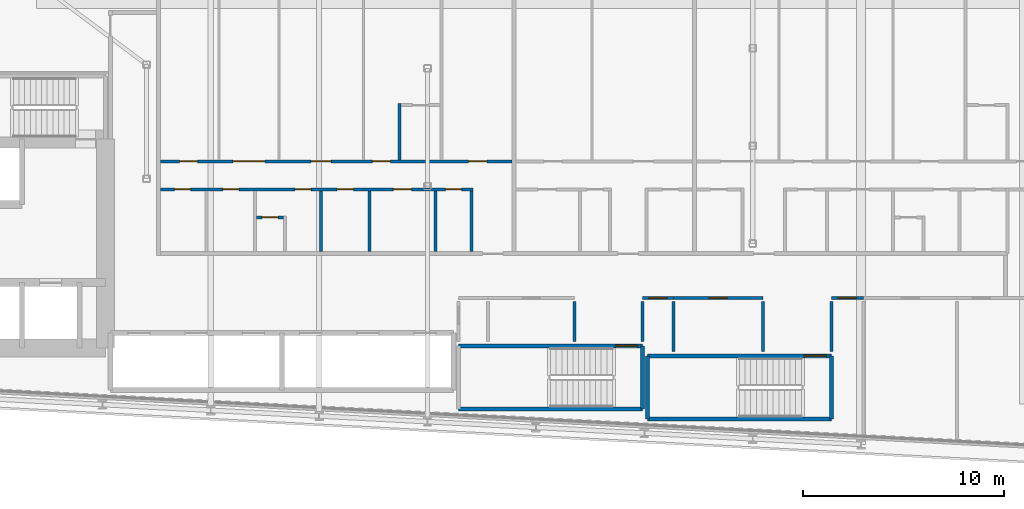
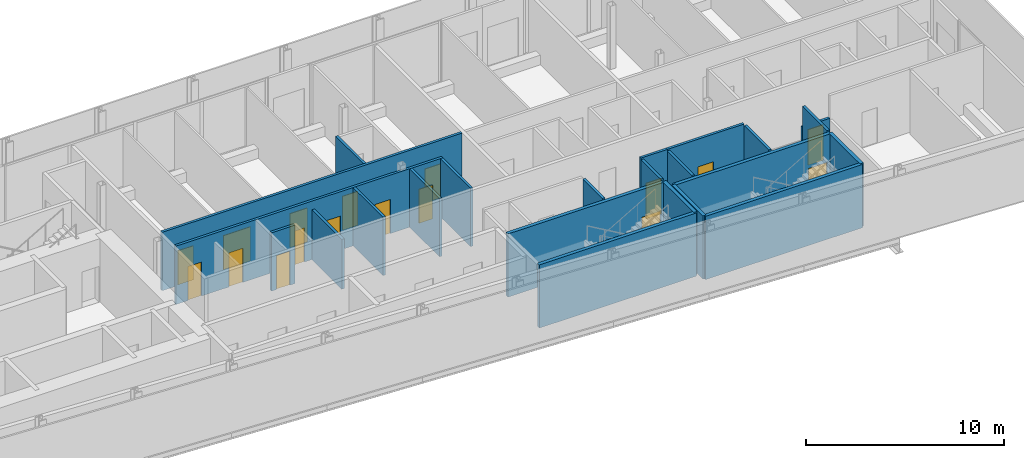
# One storey, part 15 of 28: 23 walls, 17 doors, 17 openings.
"""IFC4 building model written with IfcOpenShell, lengths in metres."""

from ifc_helpers import new_model, si_unit, direction, frame, frame_2d, origin, place, context, subcontext, project, spatial, rectangle, extrude, source, transform, mapped, material, layer, layer_set, type_object, element, fill, save


model = new_model("IFC4")

# Units and contexts
model_context = context("Model", 3, precision=1e-05, world=origin(), true_north=direction((0.0, 1.0)))
body_context = subcontext(model_context, "Body", "Model", "MODEL_VIEW")
ifc_project = project(units=[si_unit("LENGTHUNIT", "METRE"), si_unit("AREAUNIT", "SQUARE_METRE"), si_unit("VOLUMEUNIT", "CUBIC_METRE"), si_unit("PLANEANGLEUNIT", "RADIAN"), si_unit("MASSUNIT", "GRAM", prefix="KILO")], contexts=[model_context])

# Site, building, storey
site_placement = place(None, origin())
site = spatial("IfcSite", under=ifc_project, at=site_placement, CompositionType="ELEMENT")
building_placement = place(site_placement, origin())
building = spatial("IfcBuilding", under=site, at=building_placement, Name="Kheshtan School and Residences Tower", CompositionType="ELEMENT")
storey_placement = place(building_placement, frame((0.0, 0.0, 137.0)))
storey = spatial("IfcBuildingStorey", under=building, at=storey_placement, Name="L32", CompositionType="ELEMENT", Elevation=137.0)

# Wall
ifc_material_1 = material(Name="Fire-board shaft wall system")
ifc_layer_1 = layer(ifc_material_1, 0.14990234375)
ifc_layer_set_1 = layer_set([ifc_layer_1], Name="Service room wall 150")
wall_type_1 = type_object("IfcWallType", Name="Service room wall 150", PredefinedType="PARTITIONING", material=ifc_layer_set_1)
wall_1_placement = place(storey_placement, frame((76.510009765625, 26.1201171875, 0.0), z_axis=(0.0, 0.0, 1.0), x_axis=(0.0, 1.0, 0.0)))
element("IfcWall", 1, at=wall_1_placement, inside=storey, type_object=wall_type_1, Name="Service room wall", PredefinedType="PARTITIONING", context=body_context, shape_type="SweptSolid", body=[
    extrude(rectangle(XDim=1.98486328125, YDim=0.14990234375, at=frame_2d((0.992431640625, 0.0))), origin(), (0.0, 0.0, 1.0), 3.89990234375),
])

# Wall, opening, door
wall_2_placement = place(storey_placement, frame((79.909912109375, 28.300048828125, 0.0), z_axis=(0.0, 0.0, 1.0), x_axis=(1.0, 0.0, 0.0)))
wall_2 = element("IfcWall", 2, at=wall_2_placement, inside=storey, type_object=wall_type_1, Name="Service room wall", PredefinedType="PARTITIONING", context=body_context, shape_type="SweptSolid", body=[
    extrude(rectangle(XDim=1.531005859375, YDim=0.14990234375, at=frame_2d((0.765625, 0.0))), origin(), (0.0, 0.0, 1.0), 3.89990234375),
])
opening_1_placement = place(wall_2_placement, frame((0.31591796875, 0.0, 0.0)))
opening_1 = element("IfcOpeningElement", 3, at=opening_1_placement, cuts=wall_2, Name="Opening SR90", PredefinedType="OPENING", context=body_context, shape_type="SweptSolid", body=[
    extrude(rectangle(XDim=0.89990234375, YDim=2.199951171875, at=frame_2d((0.449951171875, 1.10009765625))), frame((0.0, 0.0849609375, 0.0), z_axis=(0.0, -1.0, 0.0), x_axis=(1.0, 0.0, 0.0)), (0.0, 0.0, 1.0), 0.169921875),
])
ifc_material_2 = material(Name="Steel door leaf, galvanised", Category="steel")
door_type_1 = type_object("IfcDoorType", Name="Service room door 900 steel 90 min", OperationType="SINGLE_SWING_LEFT", PredefinedType="DOOR", material=ifc_material_2)
shared_shape_1 = source(origin(), body_context, "Body", "SweptSolid", [
    extrude(rectangle(XDim=0.89990234375, YDim=2.199951171875, at=frame_2d((0.449951171875, 1.10009765625))), frame((0.0, 0.02490234375, 0.0), z_axis=(0.0, -1.0, 0.0), x_axis=(1.0, 0.0, 0.0)), (0.0, 0.0, 1.0), 0.050048828125),
])
door_1_placement = place(opening_1_placement, origin())
door_1 = element("IfcDoor", 4, at=door_1_placement, inside=storey, type_object=door_type_1, Name="Service room door", OperationType="SINGLE_SWING_RIGHT", OverallHeight=2.199951171875, OverallWidth=0.89990234375, PredefinedType="DOOR", context=body_context, shape_type="MappedRepresentation", body=[
    mapped(shared_shape_1, transform((0.0, 0.0, 0.0), x_axis=(1.0, 0.0, 0.0), y_axis=(0.0, 1.0, 0.0), z_axis=(0.0, 0.0, 1.0), scale=1.0)),
])
fill(opening_1, door_1)

# Walls
wall_3_placement = place(storey_placement, frame((79.909912109375, 26.1201171875, 0.0), z_axis=(0.0, 0.0, 1.0), x_axis=(0.0, 1.0, 0.0)))
element("IfcWall", 5, at=wall_3_placement, inside=storey, type_object=wall_type_1, Name="Service room wall", PredefinedType="PARTITIONING", context=body_context, shape_type="SweptSolid", body=[
    extrude(rectangle(XDim=1.98486328125, YDim=0.14990234375, at=frame_2d((0.992431640625, 0.0))), origin(), (0.0, 0.0, 1.0), 3.89990234375),
])
wall_4_placement = place(storey_placement, frame((81.44091796875, 25.6201171875, 0.0), z_axis=(0.0, 0.0, 1.0), x_axis=(0.0, 1.0, 0.0)))
element("IfcWall", 6, at=wall_4_placement, inside=storey, type_object=wall_type_1, Name="Service room wall", PredefinedType="PARTITIONING", context=body_context, shape_type="SweptSolid", body=[
    extrude(rectangle(XDim=2.48486328125, YDim=0.14990234375, at=frame_2d((1.242431640625, 0.0))), origin(), (0.0, 0.0, 1.0), 3.89990234375),
])

# Wall, opening, door
wall_5_placement = place(storey_placement, frame((81.44091796875, 28.300048828125, 0.0), z_axis=(0.0, 0.0, 1.0), x_axis=(1.0, 0.0, 0.0)))
wall_5 = element("IfcWall", 7, at=wall_5_placement, inside=storey, type_object=wall_type_1, Name="Service room wall", PredefinedType="PARTITIONING", context=body_context, shape_type="SweptSolid", body=[
    extrude(rectangle(XDim=4.47900390625, YDim=0.14990234375, at=frame_2d((2.239501953125, 0.0))), origin(), (0.0, 0.0, 1.0), 3.89990234375),
])
opening_2_placement = place(wall_5_placement, frame((1.7890625, 0.0, 0.0)))
opening_2 = element("IfcOpeningElement", 8, at=opening_2_placement, cuts=wall_5, Name="Opening SR90", PredefinedType="OPENING", context=body_context, shape_type="SweptSolid", body=[
    extrude(rectangle(XDim=0.89990234375, YDim=2.199951171875, at=frame_2d((0.449951171875, 1.10009765625))), frame((0.0, 0.0849609375, 0.0), z_axis=(0.0, -1.0, 0.0), x_axis=(1.0, 0.0, 0.0)), (0.0, 0.0, 1.0), 0.169921875),
])
door_2_placement = place(opening_2_placement, origin())
door_2 = element("IfcDoor", 9, at=door_2_placement, inside=storey, type_object=door_type_1, Name="Service room door", OperationType="SINGLE_SWING_LEFT", OverallHeight=2.199951171875, OverallWidth=0.89990234375, PredefinedType="DOOR", context=body_context, shape_type="MappedRepresentation", body=[
    mapped(shared_shape_1, transform((0.0, 0.0, 0.0), x_axis=(1.0, 0.0, 0.0), y_axis=(0.0, 1.0, 0.0), z_axis=(0.0, 0.0, 1.0), scale=1.0)),
])
fill(opening_2, door_2)

# Wall
wall_6_placement = place(storey_placement, frame((85.919921875, 25.6201171875, 0.0), z_axis=(0.0, 0.0, 1.0), x_axis=(0.0, 1.0, 0.0)))
element("IfcWall", 10, at=wall_6_placement, inside=storey, type_object=wall_type_1, Name="Service room wall", PredefinedType="PARTITIONING", context=body_context, shape_type="SweptSolid", body=[
    extrude(rectangle(XDim=2.48486328125, YDim=0.14990234375, at=frame_2d((1.242431640625, 0.0))), origin(), (0.0, 0.0, 1.0), 3.89990234375),
])

# Wall, opening, door
wall_7_placement = place(storey_placement, frame((89.320068359375, 28.300048828125, 0.0), z_axis=(0.0, 0.0, 1.0), x_axis=(1.0, 0.0, 0.0)))
wall_7 = element("IfcWall", 11, at=wall_7_placement, inside=storey, type_object=wall_type_1, Name="Service room wall", PredefinedType="PARTITIONING", context=body_context, shape_type="SweptSolid", body=[
    extrude(rectangle(XDim=1.594970703125, YDim=0.14990234375, at=frame_2d((0.79736328125, 0.0))), origin(), (0.0, 0.0, 1.0), 2.5),
])
opening_3_placement = place(wall_7_placement, frame((0.347900390625, 0.0, 0.0)))
opening_3 = element("IfcOpeningElement", 12, at=opening_3_placement, cuts=wall_7, Name="Opening SR90", PredefinedType="OPENING", context=body_context, shape_type="SweptSolid", body=[
    extrude(rectangle(XDim=0.89990234375, YDim=2.199951171875, at=frame_2d((0.449951171875, 1.10009765625))), frame((0.0, 0.0849609375, 0.0), z_axis=(0.0, -1.0, 0.0), x_axis=(1.0, 0.0, 0.0)), (0.0, 0.0, 1.0), 0.169921875),
])
door_3_placement = place(opening_3_placement, origin())
door_3 = element("IfcDoor", 13, at=door_3_placement, inside=storey, type_object=door_type_1, Name="Service room door", OperationType="SINGLE_SWING_RIGHT", OverallHeight=2.199951171875, OverallWidth=0.89990234375, PredefinedType="DOOR", context=body_context, shape_type="MappedRepresentation", body=[
    mapped(shared_shape_1, transform((0.0, 0.0, 0.0), x_axis=(1.0, 0.0, 0.0), y_axis=(0.0, 1.0, 0.0), z_axis=(0.0, 0.0, 1.0), scale=1.0)),
])
fill(opening_3, door_3)

# Walls
wall_8_placement = place(storey_placement, frame((89.320068359375, 25.6201171875, 0.0), z_axis=(0.0, 0.0, 1.0), x_axis=(0.0, 1.0, 0.0)))
element("IfcWall", 14, at=wall_8_placement, inside=storey, type_object=wall_type_1, Name="Service room wall", PredefinedType="PARTITIONING", context=body_context, shape_type="SweptSolid", body=[
    extrude(rectangle(XDim=2.48486328125, YDim=0.14990234375, at=frame_2d((1.242431640625, 0.0))), origin(), (0.0, 0.0, 1.0), 3.89990234375),
])
ifc_material_3 = material(Name="Concrete C40/50", Category="concrete")
ifc_layer_2 = layer(ifc_material_3, 0.199951171875)
ifc_layer_set_2 = layer_set([ifc_layer_2], Name="Stair enclosure wall 200 Concrete C40/50")
wall_type_2 = type_object("IfcWallType", Name="Stair enclosure wall 200 Concrete C40/50", PredefinedType="SHEAR", material=ifc_layer_set_2)
wall_9_placement = place(storey_placement, frame((80.159912109375, 22.25, 0.0), z_axis=(0.0, 0.0, 1.0), x_axis=(1.0, 0.0, 0.0)))
element("IfcWall", 15, at=wall_9_placement, inside=storey, type_object=wall_type_2, Name="Stair enclosure wall ST4", PredefinedType="SHEAR", context=body_context, shape_type="SweptSolid", body=[
    extrude(rectangle(XDim=9.16015625, YDim=0.199951171875, at=frame_2d((4.580078125, 0.0))), origin(), (0.0, 0.0, 1.0), 3.89990234375),
])

# Wall, opening, door
wall_10_placement = place(storey_placement, frame((80.159912109375, 25.39990234375, 0.0), z_axis=(0.0, 0.0, 1.0), x_axis=(1.0, 0.0, 0.0)))
wall_10 = element("IfcWall", 16, at=wall_10_placement, inside=storey, type_object=wall_type_2, Name="Stair enclosure wall ST4", PredefinedType="SHEAR", context=body_context, shape_type="SweptSolid", body=[
    extrude(rectangle(XDim=9.16015625, YDim=0.199951171875, at=frame_2d((4.580078125, 0.0))), origin(), (0.0, 0.0, 1.0), 3.89990234375),
])
opening_4_placement = place(wall_10_placement, frame((7.81005859375, 0.0, 0.0)))
opening_4 = element("IfcOpeningElement", 17, at=opening_4_placement, cuts=wall_10, Name="Opening ST4D", PredefinedType="OPENING", context=body_context, shape_type="SweptSolid", body=[
    extrude(rectangle(XDim=1.10009765625, YDim=2.199951171875, at=frame_2d((0.550048828125, 1.10009765625))), frame((0.0, 0.10986328125, 0.0), z_axis=(0.0, -1.0, 0.0), x_axis=(1.0, 0.0, 0.0)), (0.0, 0.0, 1.0), 0.219970703125),
])
door_type_2 = type_object("IfcDoorType", Name="Stair door 1100 steel 90 min", OperationType="SINGLE_SWING_LEFT", PredefinedType="DOOR", material=ifc_material_2)
shared_shape_2 = source(origin(), body_context, "Body", "SweptSolid", [
    extrude(rectangle(XDim=1.10009765625, YDim=2.199951171875, at=frame_2d((0.550048828125, 1.10009765625))), frame((0.0, 0.02490234375, 0.0), z_axis=(0.0, -1.0, 0.0), x_axis=(1.0, 0.0, 0.0)), (0.0, 0.0, 1.0), 0.050048828125),
])
door_4_placement = place(opening_4_placement, origin())
door_4 = element("IfcDoor", 18, at=door_4_placement, inside=storey, type_object=door_type_2, Name="Stair ST4 door", OperationType="SINGLE_SWING_LEFT", OverallHeight=2.199951171875, OverallWidth=1.10009765625, PredefinedType="DOOR", context=body_context, shape_type="MappedRepresentation", body=[
    mapped(shared_shape_2, transform((0.0, 0.0, 0.0), x_axis=(1.0, 0.0, 0.0), y_axis=(0.0, 1.0, 0.0), z_axis=(0.0, 0.0, 1.0), scale=1.0)),
])
fill(opening_4, door_4)

# Walls
for number, where, z_axis, x_axis, name in (
    (19, (80.159912109375, 22.25, 0.0), (0.0, 0.0, 1.0), (0.0, 1.0, 0.0), "Stair enclosure wall ST4"),
    (20, (89.320068359375, 22.25, 0.0), (0.0, 0.0, 1.0), (0.0, 1.0, 0.0), "Stair enclosure wall ST4"),
):
    element("IfcWall", number, at=place(storey_placement, frame(where, z_axis=z_axis, x_axis=x_axis)), inside=storey, type_object=wall_type_2, Name=name, PredefinedType="SHEAR", context=body_context, shape_type="SweptSolid", body=[
        extrude(rectangle(XDim=3.14990234375, YDim=0.199951171875, at=frame_2d((1.574951171875, 0.0))), origin(), (0.0, 0.0, 1.0), 3.89990234375),
    ])
wall_11_placement = place(storey_placement, frame((70.75, 22.75, 0.0), z_axis=(0.0, 0.0, 1.0), x_axis=(1.0, 0.0, 0.0)))
element("IfcWall", 21, at=wall_11_placement, inside=storey, type_object=wall_type_2, Name="Stair enclosure wall ST5", PredefinedType="SHEAR", context=body_context, shape_type="SweptSolid", body=[
    extrude(rectangle(XDim=9.159912109375, YDim=0.199951171875, at=frame_2d((4.580078125, 0.0))), origin(), (0.0, 0.0, 1.0), 3.89990234375),
])

# Wall, opening, door
wall_12_placement = place(storey_placement, frame((70.75, 25.89990234375, 0.0), z_axis=(0.0, 0.0, 1.0), x_axis=(1.0, 0.0, 0.0)))
wall_12 = element("IfcWall", 22, at=wall_12_placement, inside=storey, type_object=wall_type_2, Name="Stair enclosure wall ST5", PredefinedType="SHEAR", context=body_context, shape_type="SweptSolid", body=[
    extrude(rectangle(XDim=9.159912109375, YDim=0.199951171875, at=frame_2d((4.580078125, 0.0))), origin(), (0.0, 0.0, 1.0), 3.89990234375),
])
opening_5_placement = place(wall_12_placement, frame((7.81005859375, 0.0, 0.0)))
opening_5 = element("IfcOpeningElement", 23, at=opening_5_placement, cuts=wall_12, Name="Opening ST5D", PredefinedType="OPENING", context=body_context, shape_type="SweptSolid", body=[
    extrude(rectangle(XDim=1.10009765625, YDim=2.199951171875, at=frame_2d((0.550048828125, 1.10009765625))), frame((0.0, 0.10986328125, 0.0), z_axis=(0.0, -1.0, 0.0), x_axis=(1.0, 0.0, 0.0)), (0.0, 0.0, 1.0), 0.219970703125),
])
door_5_placement = place(opening_5_placement, origin())
door_5 = element("IfcDoor", 24, at=door_5_placement, inside=storey, type_object=door_type_2, Name="Stair ST5 door", OperationType="SINGLE_SWING_LEFT", OverallHeight=2.199951171875, OverallWidth=1.10009765625, PredefinedType="DOOR", context=body_context, shape_type="MappedRepresentation", body=[
    mapped(shared_shape_2, transform((0.0, 0.0, 0.0), x_axis=(1.0, 0.0, 0.0), y_axis=(0.0, 1.0, 0.0), z_axis=(0.0, 0.0, 1.0), scale=1.0)),
])
fill(opening_5, door_5)

# Wall
wall_13_placement = place(storey_placement, frame((79.909912109375, 22.75, 0.0), z_axis=(0.0, 0.0, 1.0), x_axis=(0.0, 1.0, 0.0)))
element("IfcWall", 25, at=wall_13_placement, inside=storey, type_object=wall_type_2, Name="Stair enclosure wall ST5", PredefinedType="SHEAR", context=body_context, shape_type="SweptSolid", body=[
    extrude(rectangle(XDim=3.14990234375, YDim=0.199951171875, at=frame_2d((1.574951171875, 0.0))), origin(), (0.0, 0.0, 1.0), 3.89990234375),
])

# Wall, openings, doors
ifc_material_4 = material(Name="Moisture-resistant gypsum board on steel studs", Category="steel")
ifc_layer_3 = layer(ifc_material_4, 0.14990234375)
ifc_layer_set_3 = layer_set([ifc_layer_3], Name="Wet-room partition 150")
wall_type_3 = type_object("IfcWallType", Name="Wet-room partition 150", PredefinedType="PARTITIONING", material=ifc_layer_set_3)
wall_14_placement = place(storey_placement, frame((55.89990234375, 33.699951171875, 0.0), z_axis=(0.0, 0.0, 1.0), x_axis=(1.0, 0.0, 0.0)))
wall_14 = element("IfcWall", 26, at=wall_14_placement, inside=storey, type_object=wall_type_3, Name="Partition L32-047", PredefinedType="PARTITIONING", context=body_context, shape_type="SweptSolid", body=[
    extrude(rectangle(XDim=15.5751953125, YDim=0.14990234375, at=frame_2d((7.78759765625, 0.0))), origin(), (0.0, 0.0, 1.0), 3.60009765625),
])
opening_6_placement = place(wall_14_placement, frame((3.10009765625, 0.0, 0.0)))
opening_6 = element("IfcOpeningElement", 27, at=opening_6_placement, cuts=wall_14, Name="Opening D32-001", PredefinedType="OPENING", context=body_context, shape_type="SweptSolid", body=[
    extrude(rectangle(XDim=0.800048828125, YDim=2.10009765625, at=frame_2d((0.39990234375, 1.050048828125))), frame((0.0, 0.0849609375, 0.0), z_axis=(0.0, -1.0, 0.0), x_axis=(1.0, 0.0, 0.0)), (0.0, 0.0, 1.0), 0.169921875),
])
opening_7_placement = place(wall_14_placement, frame((8.800048828125, 0.0, 0.0)))
opening_7 = element("IfcOpeningElement", 28, at=opening_7_placement, cuts=wall_14, Name="Opening D32-002", PredefinedType="OPENING", context=body_context, shape_type="SweptSolid", body=[
    extrude(rectangle(XDim=0.800048828125, YDim=2.10009765625, at=frame_2d((0.39990234375, 1.050048828125))), frame((0.0, 0.0849609375, 0.0), z_axis=(0.0, -1.0, 0.0), x_axis=(1.0, 0.0, 0.0)), (0.0, 0.0, 1.0), 0.169921875),
])
opening_8_placement = place(wall_14_placement, frame((0.699951171875, 0.0, 0.0)))
opening_8 = element("IfcOpeningElement", 29, at=opening_8_placement, cuts=wall_14, Name="Opening D32-005", PredefinedType="OPENING", context=body_context, shape_type="SweptSolid", body=[
    extrude(rectangle(XDim=0.800048828125, YDim=2.10009765625, at=frame_2d((0.39990234375, 1.050048828125))), frame((0.0, 0.0849609375, 0.0), z_axis=(0.0, -1.0, 0.0), x_axis=(1.0, 0.0, 0.0)), (0.0, 0.0, 1.0), 0.169921875),
])
opening_9_placement = place(wall_14_placement, frame((11.60009765625, 0.0, 0.0)))
opening_9 = element("IfcOpeningElement", 30, at=opening_9_placement, cuts=wall_14, Name="Opening D32-008", PredefinedType="OPENING", context=body_context, shape_type="SweptSolid", body=[
    extrude(rectangle(XDim=0.89990234375, YDim=2.10009765625, at=frame_2d((0.449951171875, 1.050048828125))), frame((0.0, 0.0849609375, 0.0), z_axis=(0.0, -1.0, 0.0), x_axis=(1.0, 0.0, 0.0)), (0.0, 0.0, 1.0), 0.169921875),
])
opening_10_placement = place(wall_14_placement, frame((6.699951171875, 0.0, 0.0)))
opening_10 = element("IfcOpeningElement", 31, at=opening_10_placement, cuts=wall_14, Name="Opening D32-010", PredefinedType="OPENING", context=body_context, shape_type="SweptSolid", body=[
    extrude(rectangle(XDim=0.800048828125, YDim=2.10009765625, at=frame_2d((0.39990234375, 1.050048828125))), frame((0.0, 0.0849609375, 0.0), z_axis=(0.0, -1.0, 0.0), x_axis=(1.0, 0.0, 0.0)), (0.0, 0.0, 1.0), 0.169921875),
])
opening_11_placement = place(wall_14_placement, frame((14.199951171875, 0.0, 0.0)))
opening_11 = element("IfcOpeningElement", 32, at=opening_11_placement, cuts=wall_14, Name="Opening D32-014", PredefinedType="OPENING", context=body_context, shape_type="SweptSolid", body=[
    extrude(rectangle(XDim=0.800048828125, YDim=2.10009765625, at=frame_2d((0.39990234375, 1.050048828125))), frame((0.0, 0.0849609375, 0.0), z_axis=(0.0, -1.0, 0.0), x_axis=(1.0, 0.0, 0.0)), (0.0, 0.0, 1.0), 0.169921875),
])
ifc_material_5 = material(Name="Veneered timber door leaf", Category="wood")
door_type_3 = type_object("IfcDoorType", Name="Door 800 x 2100", OperationType="SINGLE_SWING_LEFT", PredefinedType="DOOR", material=ifc_material_5)
shared_shape_3 = source(origin(), body_context, "Body", "SweptSolid", [
    extrude(rectangle(XDim=0.800048828125, YDim=2.10009765625, at=frame_2d((0.39990234375, 1.050048828125))), frame((0.0, 0.02490234375, 0.0), z_axis=(0.0, -1.0, 0.0), x_axis=(1.0, 0.0, 0.0)), (0.0, 0.0, 1.0), 0.050048828125),
])
door_6_placement = place(opening_6_placement, origin())
door_6 = element("IfcDoor", 33, at=door_6_placement, inside=storey, type_object=door_type_3, Name="Door D32-001", OperationType="SINGLE_SWING_RIGHT", OverallHeight=2.10009765625, OverallWidth=0.800048828125, PredefinedType="DOOR", context=body_context, shape_type="MappedRepresentation", body=[
    mapped(shared_shape_3, transform((0.0, 0.0, 0.0), x_axis=(1.0, 0.0, 0.0), y_axis=(0.0, 1.0, 0.0), z_axis=(0.0, 0.0, 1.0), scale=1.0)),
])
fill(opening_6, door_6)
door_7_placement = place(opening_7_placement, origin())
door_7 = element("IfcDoor", 34, at=door_7_placement, inside=storey, type_object=door_type_3, Name="Door D32-002", OperationType="SINGLE_SWING_LEFT", OverallHeight=2.10009765625, OverallWidth=0.800048828125, PredefinedType="DOOR", context=body_context, shape_type="MappedRepresentation", body=[
    mapped(shared_shape_3, transform((0.0, 0.0, 0.0), x_axis=(1.0, 0.0, 0.0), y_axis=(0.0, 1.0, 0.0), z_axis=(0.0, 0.0, 1.0), scale=1.0)),
])
fill(opening_7, door_7)
door_8_placement = place(opening_8_placement, origin())
door_8 = element("IfcDoor", 35, at=door_8_placement, inside=storey, type_object=door_type_3, Name="Door D32-005", OperationType="SINGLE_SWING_RIGHT", OverallHeight=2.10009765625, OverallWidth=0.800048828125, PredefinedType="DOOR", context=body_context, shape_type="MappedRepresentation", body=[
    mapped(shared_shape_3, transform((0.0, 0.0, 0.0), x_axis=(1.0, 0.0, 0.0), y_axis=(0.0, 1.0, 0.0), z_axis=(0.0, 0.0, 1.0), scale=1.0)),
])
fill(opening_8, door_8)
door_9_placement = place(opening_10_placement, origin())
door_9 = element("IfcDoor", 36, at=door_9_placement, inside=storey, type_object=door_type_3, Name="Door D32-010", OperationType="SINGLE_SWING_LEFT", OverallHeight=2.10009765625, OverallWidth=0.800048828125, PredefinedType="DOOR", context=body_context, shape_type="MappedRepresentation", body=[
    mapped(shared_shape_3, transform((0.0, 0.0, 0.0), x_axis=(1.0, 0.0, 0.0), y_axis=(0.0, 1.0, 0.0), z_axis=(0.0, 0.0, 1.0), scale=1.0)),
])
fill(opening_10, door_9)
door_10_placement = place(opening_11_placement, origin())
door_10 = element("IfcDoor", 37, at=door_10_placement, inside=storey, type_object=door_type_3, Name="Door D32-014", OperationType="SINGLE_SWING_LEFT", OverallHeight=2.10009765625, OverallWidth=0.800048828125, PredefinedType="DOOR", context=body_context, shape_type="MappedRepresentation", body=[
    mapped(shared_shape_3, transform((0.0, 0.0, 0.0), x_axis=(1.0, 0.0, 0.0), y_axis=(0.0, 1.0, 0.0), z_axis=(0.0, 0.0, 1.0), scale=1.0)),
])
fill(opening_11, door_10)
door_type_4 = type_object("IfcDoorType", Name="Door 900 x 2100", OperationType="SINGLE_SWING_LEFT", PredefinedType="DOOR", material=ifc_material_5)
shared_shape_4 = source(origin(), body_context, "Body", "SweptSolid", [
    extrude(rectangle(XDim=0.89990234375, YDim=2.10009765625, at=frame_2d((0.449951171875, 1.050048828125))), frame((0.0, 0.02490234375, 0.0), z_axis=(0.0, -1.0, 0.0), x_axis=(1.0, 0.0, 0.0)), (0.0, 0.0, 1.0), 0.050048828125),
])
door_11_placement = place(opening_9_placement, origin())
door_11 = element("IfcDoor", 38, at=door_11_placement, inside=storey, type_object=door_type_4, Name="Door D32-008", OperationType="SINGLE_SWING_LEFT", OverallHeight=2.10009765625, OverallWidth=0.89990234375, PredefinedType="DOOR", context=body_context, shape_type="MappedRepresentation", body=[
    mapped(shared_shape_4, transform((0.0, 0.0, 0.0), x_axis=(1.0, 0.0, 0.0), y_axis=(0.0, 1.0, 0.0), z_axis=(0.0, 0.0, 1.0), scale=1.0)),
])
fill(opening_9, door_11)

wall_15_placement = place(storey_placement, frame((55.89990234375, 35.10009765625, 0.0), z_axis=(0.0, 0.0, 1.0), x_axis=(1.0, 0.0, 0.0)))
wall_15 = element("IfcWall", 39, at=wall_15_placement, inside=storey, type_object=wall_type_3, Name="Partition L32-048", PredefinedType="PARTITIONING", context=body_context, shape_type="SweptSolid", body=[
    extrude(rectangle(XDim=17.5, YDim=0.14990234375, at=frame_2d((8.75, 0.0))), origin(), (0.0, 0.0, 1.0), 3.60009765625),
])
opening_12_placement = place(wall_15_placement, frame((0.949951171875, 0.0, 0.0)))
opening_12 = element("IfcOpeningElement", 40, at=opening_12_placement, cuts=wall_15, Name="Opening D32-003", PredefinedType="OPENING", context=body_context, shape_type="SweptSolid", body=[
    extrude(rectangle(XDim=0.89990234375, YDim=2.10009765625, at=frame_2d((0.449951171875, 1.050048828125))), frame((0.0, 0.0849609375, 0.0), z_axis=(0.0, -1.0, 0.0), x_axis=(1.0, 0.0, 0.0)), (0.0, 0.0, 1.0), 0.169921875),
])
opening_13_placement = place(wall_15_placement, frame((15.35009765625, 0.0, 0.0)))
opening_13 = element("IfcOpeningElement", 41, at=opening_13_placement, cuts=wall_15, Name="Opening D32-004", PredefinedType="OPENING", context=body_context, shape_type="SweptSolid", body=[
    extrude(rectangle(XDim=0.89990234375, YDim=2.10009765625, at=frame_2d((0.449951171875, 1.050048828125))), frame((0.0, 0.0849609375, 0.0), z_axis=(0.0, -1.0, 0.0), x_axis=(1.0, 0.0, 0.0)), (0.0, 0.0, 1.0), 0.169921875),
])
opening_14_placement = place(wall_15_placement, frame((7.5, 0.0, 0.0)))
opening_14 = element("IfcOpeningElement", 42, at=opening_14_placement, cuts=wall_15, Name="Opening D32-009", PredefinedType="OPENING", context=body_context, shape_type="SweptSolid", body=[
    extrude(rectangle(XDim=1.0, YDim=2.10009765625, at=frame_2d((0.5, 1.050048828125))), frame((0.0, 0.0849609375, 0.0), z_axis=(0.0, -1.0, 0.0), x_axis=(1.0, 0.0, 0.0)), (0.0, 0.0, 1.0), 0.169921875),
])
opening_15_placement = place(wall_15_placement, frame((3.60009765625, 0.0, 0.0)))
opening_15 = element("IfcOpeningElement", 43, at=opening_15_placement, cuts=wall_15, Name="Opening D32-012", PredefinedType="OPENING", context=body_context, shape_type="SweptSolid", body=[
    extrude(rectangle(XDim=1.60009765625, YDim=2.10009765625, at=frame_2d((0.800048828125, 1.050048828125))), frame((0.0, 0.0849609375, 0.0), z_axis=(0.0, -1.0, 0.0), x_axis=(1.0, 0.0, 0.0)), (0.0, 0.0, 1.0), 0.169921875),
])
opening_16_placement = place(wall_15_placement, frame((10.550048828125, 0.0, 0.0)))
opening_16 = element("IfcOpeningElement", 44, at=opening_16_placement, cuts=wall_15, Name="Opening D32-013", PredefinedType="OPENING", context=body_context, shape_type="SweptSolid", body=[
    extrude(rectangle(XDim=0.89990234375, YDim=2.10009765625, at=frame_2d((0.449951171875, 1.050048828125))), frame((0.0, 0.0849609375, 0.0), z_axis=(0.0, -1.0, 0.0), x_axis=(1.0, 0.0, 0.0)), (0.0, 0.0, 1.0), 0.169921875),
])
door_type_5 = type_object("IfcDoorType", Name="Door 1000 x 2100", OperationType="SINGLE_SWING_LEFT", PredefinedType="DOOR", material=ifc_material_5)
shared_shape_5 = source(origin(), body_context, "Body", "SweptSolid", [
    extrude(rectangle(XDim=1.0, YDim=2.10009765625, at=frame_2d((0.5, 1.050048828125))), frame((0.0, 0.02490234375, 0.0), z_axis=(0.0, -1.0, 0.0), x_axis=(1.0, 0.0, 0.0)), (0.0, 0.0, 1.0), 0.050048828125),
])
door_12_placement = place(opening_14_placement, origin())
door_12 = element("IfcDoor", 45, at=door_12_placement, inside=storey, type_object=door_type_5, Name="Door D32-009", OperationType="SINGLE_SWING_RIGHT", OverallHeight=2.10009765625, OverallWidth=1.0, PredefinedType="DOOR", context=body_context, shape_type="MappedRepresentation", body=[
    mapped(shared_shape_5, transform((0.0, 0.0, 0.0), x_axis=(1.0, 0.0, 0.0), y_axis=(0.0, 1.0, 0.0), z_axis=(0.0, 0.0, 1.0), scale=1.0)),
])
fill(opening_14, door_12)
door_13_placement = place(opening_12_placement, origin())
door_13 = element("IfcDoor", 46, at=door_13_placement, inside=storey, type_object=door_type_4, Name="Door D32-003", OperationType="SINGLE_SWING_RIGHT", OverallHeight=2.10009765625, OverallWidth=0.89990234375, PredefinedType="DOOR", context=body_context, shape_type="MappedRepresentation", body=[
    mapped(shared_shape_4, transform((0.0, 0.0, 0.0), x_axis=(1.0, 0.0, 0.0), y_axis=(0.0, 1.0, 0.0), z_axis=(0.0, 0.0, 1.0), scale=1.0)),
])
fill(opening_12, door_13)
door_14_placement = place(opening_13_placement, origin())
door_14 = element("IfcDoor", 47, at=door_14_placement, inside=storey, type_object=door_type_4, Name="Door D32-004", OperationType="SINGLE_SWING_LEFT", OverallHeight=2.10009765625, OverallWidth=0.89990234375, PredefinedType="DOOR", context=body_context, shape_type="MappedRepresentation", body=[
    mapped(shared_shape_4, transform((0.0, 0.0, 0.0), x_axis=(1.0, 0.0, 0.0), y_axis=(0.0, 1.0, 0.0), z_axis=(0.0, 0.0, 1.0), scale=1.0)),
])
fill(opening_13, door_14)
door_15_placement = place(opening_16_placement, origin())
door_15 = element("IfcDoor", 48, at=door_15_placement, inside=storey, type_object=door_type_4, Name="Door D32-013", OperationType="SINGLE_SWING_RIGHT", OverallHeight=2.10009765625, OverallWidth=0.89990234375, PredefinedType="DOOR", context=body_context, shape_type="MappedRepresentation", body=[
    mapped(shared_shape_4, transform((0.0, 0.0, 0.0), x_axis=(1.0, 0.0, 0.0), y_axis=(0.0, 1.0, 0.0), z_axis=(0.0, 0.0, 1.0), scale=1.0)),
])
fill(opening_16, door_15)
door_type_6 = type_object("IfcDoorType", Name="Double door 1600 x 2100", OperationType="DOUBLE_DOOR_SINGLE_SWING", PredefinedType="DOOR", material=ifc_material_5)
shared_shape_6 = source(origin(), body_context, "Body", "SweptSolid", [
    extrude(rectangle(XDim=1.60009765625, YDim=2.10009765625, at=frame_2d((0.800048828125, 1.050048828125))), frame((0.0, 0.02490234375, 0.0), z_axis=(0.0, -1.0, 0.0), x_axis=(1.0, 0.0, 0.0)), (0.0, 0.0, 1.0), 0.050048828125),
])
door_16_placement = place(opening_15_placement, origin())
door_16 = element("IfcDoor", 49, at=door_16_placement, inside=storey, type_object=door_type_6, Name="Door D32-012", OperationType="DOUBLE_DOOR_SINGLE_SWING", OverallHeight=2.10009765625, OverallWidth=1.60009765625, PredefinedType="DOOR", context=body_context, shape_type="MappedRepresentation", body=[
    mapped(shared_shape_6, transform((0.0, 0.0, 0.0), x_axis=(1.0, 0.0, 0.0), y_axis=(0.0, 1.0, 0.0), z_axis=(0.0, 0.0, 1.0), scale=1.0)),
])
fill(opening_15, door_16)

# Wall, opening, door
wall_16_placement = place(storey_placement, frame((60.675048828125, 32.300048828125, 0.0), z_axis=(0.0, 0.0, 1.0), x_axis=(1.0, 0.0, 0.0)))
wall_16 = element("IfcWall", 50, at=wall_16_placement, inside=storey, type_object=wall_type_3, Name="Partition L32-052", PredefinedType="PARTITIONING", context=body_context, shape_type="SweptSolid", body=[
    extrude(rectangle(XDim=1.349853515625, YDim=0.14990234375, at=frame_2d((0.6748046875, 0.0))), origin(), (0.0, 0.0, 1.0), 3.60009765625),
])
opening_17_placement = place(wall_16_placement, frame((0.27490234375, 0.0, 0.0)))
opening_17 = element("IfcOpeningElement", 51, at=opening_17_placement, cuts=wall_16, Name="Opening D32-011", PredefinedType="OPENING", context=body_context, shape_type="SweptSolid", body=[
    extrude(rectangle(XDim=0.800048828125, YDim=2.10009765625, at=frame_2d((0.39990234375, 1.050048828125))), frame((0.0, 0.0849609375, 0.0), z_axis=(0.0, -1.0, 0.0), x_axis=(1.0, 0.0, 0.0)), (0.0, 0.0, 1.0), 0.169921875),
])
door_17_placement = place(opening_17_placement, origin())
door_17 = element("IfcDoor", 52, at=door_17_placement, inside=storey, type_object=door_type_3, Name="Door D32-011", OperationType="SINGLE_SWING_RIGHT", OverallHeight=2.10009765625, OverallWidth=0.800048828125, PredefinedType="DOOR", context=body_context, shape_type="MappedRepresentation", body=[
    mapped(shared_shape_3, transform((0.0, 0.0, 0.0), x_axis=(1.0, 0.0, 0.0), y_axis=(0.0, 1.0, 0.0), z_axis=(0.0, 0.0, 1.0), scale=1.0)),
])
fill(opening_17, door_17)

# Walls
wall_17_placement = place(storey_placement, frame((63.89990234375, 30.60009765625, 0.0), z_axis=(0.0, 0.0, 1.0), x_axis=(0.0, 1.0, 0.0)))
element("IfcWall", 53, at=wall_17_placement, inside=storey, type_object=wall_type_3, Name="Partition L32-055", PredefinedType="PARTITIONING", context=body_context, shape_type="SweptSolid", body=[
    extrude(rectangle(XDim=3.02490234375, YDim=0.14990234375, at=frame_2d((1.512451171875, 0.0))), origin(), (0.0, 0.0, 1.0), 3.072021484375),
])
wall_18_placement = place(storey_placement, frame((66.300048828125, 30.60009765625, 0.0), z_axis=(0.0, 0.0, 1.0), x_axis=(0.0, 1.0, 0.0)))
element("IfcWall", 54, at=wall_18_placement, inside=storey, type_object=wall_type_3, Name="Partition L32-057", PredefinedType="PARTITIONING", context=body_context, shape_type="SweptSolid", body=[
    extrude(rectangle(XDim=3.02490234375, YDim=0.14990234375, at=frame_2d((1.512451171875, 0.0))), origin(), (0.0, 0.0, 1.0), 3.60009765625),
])
wall_19_placement = place(storey_placement, frame((67.800048828125, 35.175048828125, 0.0), z_axis=(0.0, 0.0, 1.0), x_axis=(0.0, 1.0, 0.0)))
element("IfcWall", 55, at=wall_19_placement, inside=storey, type_object=wall_type_3, Name="Partition L32-058", PredefinedType="PARTITIONING", context=body_context, shape_type="SweptSolid", body=[
    extrude(rectangle(XDim=2.800048828125, YDim=0.14990234375, at=frame_2d((1.39990234375, 0.0))), origin(), (0.0, 0.0, 1.0), 3.60009765625),
])
for number, where, z_axis, x_axis, name in (
    (56, (69.60009765625, 30.60009765625, 0.0), (0.0, 0.0, 1.0), (0.0, 1.0, 0.0), "Partition L32-060"),
    (57, (71.39990234375, 30.60009765625, 0.0), (0.0, 0.0, 1.0), (0.0, 1.0, 0.0), "Partition L32-062"),
):
    element("IfcWall", number, at=place(storey_placement, frame(where, z_axis=z_axis, x_axis=x_axis)), inside=storey, type_object=wall_type_3, Name=name, PredefinedType="PARTITIONING", context=body_context, shape_type="SweptSolid", body=[
        extrude(rectangle(XDim=3.02490234375, YDim=0.14990234375, at=frame_2d((1.512451171875, 0.0))), origin(), (0.0, 0.0, 1.0), 3.60009765625),
    ])

save(model, "model.ifc")
